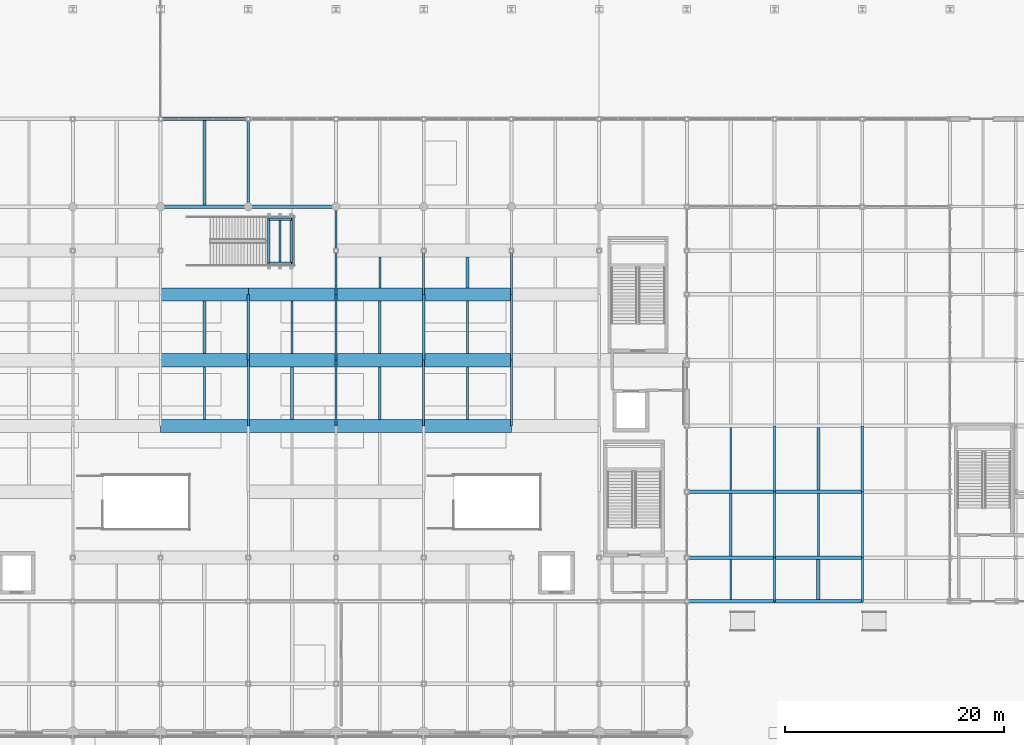
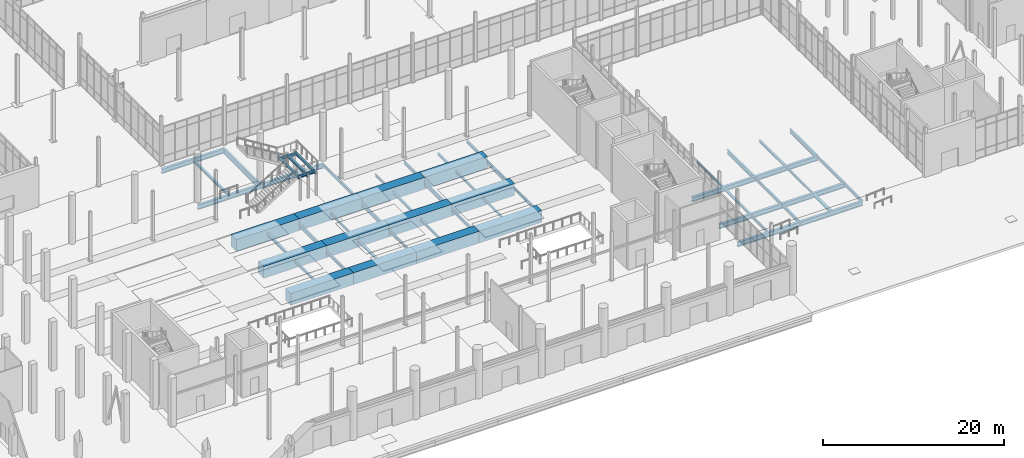
# One storey, part 35 of 140: 62 beams.
"""IFC4 building model written with IfcOpenShell, lengths in metres."""

from ifc_helpers import new_model, si_unit, direction, frame, origin, origin_2d, place, context, subcontext, project, spatial, rectangle, i_section, extrude, material, material_profile, profile_set, type_object, element, save


model = new_model("IFC4")

# Units and contexts
model_context = context("Model", 3, precision=1e-05, world=origin(), true_north=direction((0.0, 1.0)))
body_context = subcontext(model_context, "Body", "Model", "MODEL_VIEW")
ifc_project = project(units=[si_unit("LENGTHUNIT", "METRE"), si_unit("AREAUNIT", "SQUARE_METRE"), si_unit("VOLUMEUNIT", "CUBIC_METRE"), si_unit("PLANEANGLEUNIT", "RADIAN"), si_unit("MASSUNIT", "GRAM", prefix="KILO")], contexts=[model_context])

# Site, building, storey
site_placement = place(None, origin())
site = spatial("IfcSite", under=ifc_project, at=site_placement, CompositionType="ELEMENT")
building_placement = place(site_placement, origin())
building = spatial("IfcBuilding", under=site, at=building_placement, Name="Verrall Gate Interchange", CompositionType="ELEMENT")
storey_placement = place(building_placement, origin())
storey = spatial("IfcBuildingStorey", under=building, at=storey_placement, Name="L01", CompositionType="ELEMENT", Elevation=0.0)

# Beams
ifc_material_1 = material(Name="Structural Steel CSA G40.21 350WT Cat 4", Category="steel")
ifc_material_profile_1 = material_profile(ifc_material_1, i_section(OverallWidth=0.256103515625, OverallDepth=0.693115234375, WebThickness=0.01318359375, FlangeThickness=0.02001953125, FilletRadius=0.01611328125, at=origin_2d()), Name="W690x170")
ifc_profile_set_1 = profile_set([ifc_material_profile_1], Name="Structural Steel CSA G40.21 350WT Cat 4")
beam_type_1 = type_object("IfcBeamType", Name="B-07 Structural Beam W690x170", PredefinedType="BEAM", material=ifc_profile_set_1)
beam_1_placement = place(storey_placement, frame((68.0, 48.0, -0.846435546875), z_axis=(0.0, 1.0, 0.0), x_axis=(-1.0, 0.0, 0.0)))
element("IfcBeam", 1, at=beam_1_placement, inside=storey, type_object=beam_type_1, Name="L01 Girder BM-L01-1125 (B-07)", PredefinedType="BEAM", context=body_context, shape_type="SweptSolid", body=[
    extrude(i_section(OverallWidth=0.256103515625, OverallDepth=0.693115234375, WebThickness=0.01318359375, FlangeThickness=0.02001953125, FilletRadius=0.01611328125, at=origin_2d()), origin(), (0.0, 0.0, 1.0), 8.0),
])
ifc_material_2 = material(Name="Structural Steel CSA G40.21 350WT Cat 4", Category="steel")
ifc_material_profile_2 = material_profile(ifc_material_2, i_section(OverallWidth=0.323974609375, OverallDepth=0.611083984375, WebThickness=0.0126953125, FlangeThickness=0.01904296875, FilletRadius=0.014892578125, at=origin_2d()), Name="W610x155")
ifc_profile_set_2 = profile_set([ifc_material_profile_2], Name="Structural Steel CSA G40.21 350WT Cat 4")
beam_type_2 = type_object("IfcBeamType", Name="B-08 Structural Beam W610x155", PredefinedType="BEAM", material=ifc_profile_set_2)
for number, where, z_axis, x_axis, name in (
    (2, (108.0, 12.0, -0.805419921875), (1.0, 0.0, 0.0), (0.0, 1.0, 0.0), "L01 Girder BM-L01-0779 (B-08)"),
    (3, (116.0, 12.0, -0.805419921875), (1.0, 0.0, 0.0), (0.0, 1.0, 0.0), "L01 Girder BM-L01-0780 (B-08)"),
    (4, (108.0, 16.0, -0.805419921875), (1.0, 0.0, 0.0), (0.0, 1.0, 0.0), "L01 Girder BM-L01-0799 (B-08)"),
    (5, (116.0, 16.0, -0.805419921875), (1.0, 0.0, 0.0), (0.0, 1.0, 0.0), "L01 Girder BM-L01-0800 (B-08)"),
    (6, (108.0, 22.0, -0.805419921875), (1.0, 0.0, 0.0), (0.0, 1.0, 0.0), "L01 Girder BM-L01-0817 (B-08)"),
    (7, (116.0, 22.0, -0.805419921875), (1.0, 0.0, 0.0), (0.0, 1.0, 0.0), "L01 Girder BM-L01-0818 (B-08)"),
    (8, (60.0, 48.0, -0.805419921875), (1.0, 0.0, 0.0), (0.0, 1.0, 0.0), "L01 Girder BM-L01-0920 (B-08)"),
    (9, (68.0, 48.0, -0.805419921875), (1.0, 0.0, 0.0), (0.0, 1.0, 0.0), "L01 Girder BM-L01-0921 (B-08)"),
    (10, (60.0, 56.0, -0.805419921875), (1.0, 0.0, 0.0), (0.0, 1.0, 0.0), "L01 Girder BM-L01-0942 (B-08)"),
):
    element("IfcBeam", number, at=place(storey_placement, frame(where, z_axis=z_axis, x_axis=x_axis)), inside=storey, type_object=beam_type_2, Name=name, PredefinedType="BEAM", context=body_context, shape_type="SweptSolid", body=[
        extrude(i_section(OverallWidth=0.323974609375, OverallDepth=0.611083984375, WebThickness=0.0126953125, FlangeThickness=0.01904296875, FilletRadius=0.014892578125, at=origin_2d()), origin(), (0.0, 0.0, 1.0), 8.0),
    ])
ifc_material_3 = material(Name="Structural Steel CSA G40.21 350W", Category="steel")
ifc_material_profile_3 = material_profile(ifc_material_3, i_section(OverallWidth=0.2109375, OverallDepth=0.5390625, WebThickness=0.01171875, FlangeThickness=0.018798828125, FilletRadius=0.013916015625, at=origin_2d()), Name="W530x109")
ifc_profile_set_3 = profile_set([ifc_material_profile_3], Name="Structural Steel CSA G40.21 350W")
beam_type_3 = type_object("IfcBeamType", Name="B-10 Structural Beam W530x109", PredefinedType="BEAM", material=ifc_profile_set_3)
for number, where, z_axis, x_axis, name in (
    (11, (68.0, 34.0, -0.76953125), (0.0, 1.0, 0.0), (-1.0, 0.0, 0.0), "L01 Girder BM-L01-1124 (B-10)"),
    (12, (76.0, 34.0, -0.76953125), (0.0, 1.0, 0.0), (-1.0, 0.0, 0.0), "L01 Girder BM-L01-1133 (B-10)"),
    (13, (84.0, 34.0, -0.76953125), (0.0, 1.0, 0.0), (-1.0, 0.0, 0.0), "L01 Girder BM-L01-1144 (B-10)"),
    (14, (92.0, 34.0, -0.76953125), (0.0, 1.0, 0.0), (-1.0, 0.0, 0.0), "L01 Girder BM-L01-1153 (B-10)"),
    (15, (116.0, 22.0, -0.76953125), (0.0, 1.0, 0.0), (-1.0, 0.0, 0.0), "L01 Girder BM-L01-1181 (B-10)"),
    (16, (124.0, 22.0, -0.76953125), (0.0, 1.0, 0.0), (-1.0, 0.0, 0.0), "L01 Girder BM-L01-1189 (B-10)"),
):
    element("IfcBeam", number, at=place(storey_placement, frame(where, z_axis=z_axis, x_axis=x_axis)), inside=storey, type_object=beam_type_3, Name=name, PredefinedType="BEAM", context=body_context, shape_type="SweptSolid", body=[
        extrude(i_section(OverallWidth=0.2109375, OverallDepth=0.5390625, WebThickness=0.01171875, FlangeThickness=0.018798828125, FilletRadius=0.013916015625, at=origin_2d()), origin(), (0.0, 0.0, 1.0), 6.0),
    ])
ifc_material_4 = material(Name="Structural Steel CSA G40.21 350W", Category="steel")
ifc_material_profile_4 = material_profile(ifc_material_4, i_section(OverallWidth=0.178955078125, OverallDepth=0.409912109375, WebThickness=0.0087890625, FlangeThickness=0.014404296875, FilletRadius=0.011962890625, at=origin_2d()), Name="W410x67")
ifc_profile_set_4 = profile_set([ifc_material_profile_4], Name="Structural Steel CSA G40.21 350W")
beam_type_4 = type_object("IfcBeamType", Name="B-12 Structural Beam W410x67", PredefinedType="BEAM", material=ifc_profile_set_4)
for number, where, z_axis, x_axis, name in (
    (17, (68.0, 28.0, -0.705078125), (0.0, 1.0, 0.0), (-1.0, 0.0, 0.0), "L01 Girder BM-L01-1123 (B-12)"),
    (18, (76.0, 28.0, -0.705078125), (0.0, 1.0, 0.0), (-1.0, 0.0, 0.0), "L01 Girder BM-L01-1132 (B-12)"),
):
    element("IfcBeam", number, at=place(storey_placement, frame(where, z_axis=z_axis, x_axis=x_axis)), inside=storey, type_object=beam_type_4, Name=name, PredefinedType="BEAM", context=body_context, shape_type="SweptSolid", body=[
        extrude(i_section(OverallWidth=0.178955078125, OverallDepth=0.409912109375, WebThickness=0.0087890625, FlangeThickness=0.014404296875, FilletRadius=0.011962890625, at=origin_2d()), origin(), (0.0, 0.0, 1.0), 6.0),
    ])
for number, where, z_axis, x_axis, name in (
    (19, (76.0, 40.0, -0.705078125), (0.0, 1.0, 0.0), (-1.0, 0.0, 0.0), "L01 Girder BM-L01-1134 (B-12)"),
    (20, (76.0, 44.0, -0.705078125), (0.0, 1.0, 0.0), (-1.0, 0.0, 0.0), "L01 Girder BM-L01-1135 (B-12)"),
):
    element("IfcBeam", number, at=place(storey_placement, frame(where, z_axis=z_axis, x_axis=x_axis)), inside=storey, type_object=beam_type_4, Name=name, PredefinedType="BEAM", context=body_context, shape_type="SweptSolid", body=[
        extrude(i_section(OverallWidth=0.178955078125, OverallDepth=0.409912109375, WebThickness=0.0087890625, FlangeThickness=0.014404296875, FilletRadius=0.011962890625, at=origin_2d()), origin(), (0.0, 0.0, 1.0), 4.0),
    ])
beam_2_placement = place(storey_placement, frame((84.0, 28.0, -0.705078125), z_axis=(0.0, 1.0, 0.0), x_axis=(-1.0, 0.0, 0.0)))
element("IfcBeam", 21, at=beam_2_placement, inside=storey, type_object=beam_type_4, Name="L01 Girder BM-L01-1143 (B-12)", PredefinedType="BEAM", context=body_context, shape_type="SweptSolid", body=[
    extrude(i_section(OverallWidth=0.178955078125, OverallDepth=0.409912109375, WebThickness=0.0087890625, FlangeThickness=0.014404296875, FilletRadius=0.011962890625, at=origin_2d()), origin(), (0.0, 0.0, 1.0), 6.0),
])
beam_3_placement = place(storey_placement, frame((84.0, 40.0, -0.705078125), z_axis=(0.0, 1.0, 0.0), x_axis=(-1.0, 0.0, 0.0)))
element("IfcBeam", 22, at=beam_3_placement, inside=storey, type_object=beam_type_4, Name="L01 Girder BM-L01-1145 (B-12)", PredefinedType="BEAM", context=body_context, shape_type="SweptSolid", body=[
    extrude(i_section(OverallWidth=0.178955078125, OverallDepth=0.409912109375, WebThickness=0.0087890625, FlangeThickness=0.014404296875, FilletRadius=0.011962890625, at=origin_2d()), origin(), (0.0, 0.0, 1.0), 4.0),
])
beam_4_placement = place(storey_placement, frame((92.0, 28.0, -0.705078125), z_axis=(0.0, 1.0, 0.0), x_axis=(-1.0, 0.0, 0.0)))
element("IfcBeam", 23, at=beam_4_placement, inside=storey, type_object=beam_type_4, Name="L01 Girder BM-L01-1152 (B-12)", PredefinedType="BEAM", context=body_context, shape_type="SweptSolid", body=[
    extrude(i_section(OverallWidth=0.178955078125, OverallDepth=0.409912109375, WebThickness=0.0087890625, FlangeThickness=0.014404296875, FilletRadius=0.011962890625, at=origin_2d()), origin(), (0.0, 0.0, 1.0), 6.0),
])
for number, where, z_axis, x_axis, name in (
    (24, (92.0, 40.0, -0.705078125), (0.0, 1.0, 0.0), (-1.0, 0.0, 0.0), "L01 Girder BM-L01-1154 (B-12)"),
    (25, (116.0, 12.0, -0.705078125), (0.0, 1.0, 0.0), (-1.0, 0.0, 0.0), "L01 Girder BM-L01-1179 (B-12)"),
):
    element("IfcBeam", number, at=place(storey_placement, frame(where, z_axis=z_axis, x_axis=x_axis)), inside=storey, type_object=beam_type_4, Name=name, PredefinedType="BEAM", context=body_context, shape_type="SweptSolid", body=[
        extrude(i_section(OverallWidth=0.178955078125, OverallDepth=0.409912109375, WebThickness=0.0087890625, FlangeThickness=0.014404296875, FilletRadius=0.011962890625, at=origin_2d()), origin(), (0.0, 0.0, 1.0), 4.0),
    ])
beam_5_placement = place(storey_placement, frame((116.0, 16.0, -0.705078125), z_axis=(0.0, 1.0, 0.0), x_axis=(-1.0, 0.0, 0.0)))
element("IfcBeam", 26, at=beam_5_placement, inside=storey, type_object=beam_type_4, Name="L01 Girder BM-L01-1180 (B-12)", PredefinedType="BEAM", context=body_context, shape_type="SweptSolid", body=[
    extrude(i_section(OverallWidth=0.178955078125, OverallDepth=0.409912109375, WebThickness=0.0087890625, FlangeThickness=0.014404296875, FilletRadius=0.011962890625, at=origin_2d()), origin(), (0.0, 0.0, 1.0), 6.0),
])
beam_6_placement = place(storey_placement, frame((124.0, 12.0, -0.705078125), z_axis=(0.0, 1.0, 0.0), x_axis=(-1.0, 0.0, 0.0)))
element("IfcBeam", 27, at=beam_6_placement, inside=storey, type_object=beam_type_4, Name="L01 Girder BM-L01-1187 (B-12)", PredefinedType="BEAM", context=body_context, shape_type="SweptSolid", body=[
    extrude(i_section(OverallWidth=0.178955078125, OverallDepth=0.409912109375, WebThickness=0.0087890625, FlangeThickness=0.014404296875, FilletRadius=0.011962890625, at=origin_2d()), origin(), (0.0, 0.0, 1.0), 4.0),
])
beam_7_placement = place(storey_placement, frame((124.0, 16.0, -0.705078125), z_axis=(0.0, 1.0, 0.0), x_axis=(-1.0, 0.0, 0.0)))
element("IfcBeam", 28, at=beam_7_placement, inside=storey, type_object=beam_type_4, Name="L01 Girder BM-L01-1188 (B-12)", PredefinedType="BEAM", context=body_context, shape_type="SweptSolid", body=[
    extrude(i_section(OverallWidth=0.178955078125, OverallDepth=0.409912109375, WebThickness=0.0087890625, FlangeThickness=0.014404296875, FilletRadius=0.011962890625, at=origin_2d()), origin(), (0.0, 0.0, 1.0), 6.0),
])
ifc_material_5 = material(Name="Structural Steel CSA G40.21 350W", Category="steel")
ifc_material_profile_5 = material_profile(ifc_material_5, i_section(OverallWidth=0.205078125, OverallDepth=0.35400390625, WebThickness=0.009521484375, FlangeThickness=0.016845703125, FilletRadius=0.012939453125, at=origin_2d()), Name="W360x79")
ifc_profile_set_5 = profile_set([ifc_material_profile_5], Name="Structural Steel CSA G40.21 350W")
beam_type_5 = type_object("IfcBeamType", Name="B-14 Structural Beam W360x79", PredefinedType="BEAM", material=ifc_profile_set_5)
for number, where, z_axis, x_axis, name in (
    (29, (69.8701171875, 42.43994140625, 2.929931640625), (0.0, 1.0, 0.0), (-1.0, 0.0, 0.0), "L01 ST-12 Mid-Landing Beam"),
    (30, (70.89501953125, 42.43994140625, 2.929931640625), (0.0, 1.0, 0.0), (-1.0, 0.0, 0.0), "L01 ST-12 Mid-Landing Beam"),
    (31, (71.919921875, 42.43994140625, 2.929931640625), (0.0, 1.0, 0.0), (-1.0, 0.0, 0.0), "L01 ST-12 Mid-Landing Beam"),
):
    element("IfcBeam", number, at=place(storey_placement, frame(where, z_axis=z_axis, x_axis=x_axis)), inside=storey, type_object=beam_type_5, Name=name, PredefinedType="BEAM", context=body_context, shape_type="SweptSolid", body=[
        extrude(i_section(OverallWidth=0.205078125, OverallDepth=0.35400390625, WebThickness=0.009521484375, FlangeThickness=0.016845703125, FilletRadius=0.012939453125, at=origin_2d()), origin(), (0.0, 0.0, 1.0), 4.820068359375),
    ])
for number, where, z_axis, x_axis, name in (
    (32, (69.8701171875, 42.85009765625, 2.929931640625), (1.0, 0.0, 0.0), (0.0, 1.0, 0.0), "L01 ST-12 Mid-Landing Edge Beam 1"),
    (33, (69.8701171875, 46.85009765625, 2.929931640625), (1.0, 0.0, 0.0), (0.0, 1.0, 0.0), "L01 ST-12 Mid-Landing Edge Beam 2"),
):
    element("IfcBeam", number, at=place(storey_placement, frame(where, z_axis=z_axis, x_axis=x_axis)), inside=storey, type_object=beam_type_5, Name=name, PredefinedType="BEAM", context=body_context, shape_type="SweptSolid", body=[
        extrude(i_section(OverallWidth=0.205078125, OverallDepth=0.35400390625, WebThickness=0.009521484375, FlangeThickness=0.016845703125, FilletRadius=0.012939453125, at=origin_2d()), origin(), (0.0, 0.0, 1.0), 2.0498046875),
    ])
ifc_material_6 = material(Name="Structural Steel CSA G40.21 350W", Category="steel")
ifc_material_profile_6 = material_profile(ifc_material_6, i_section(OverallWidth=0.172119140625, OverallDepth=0.35791015625, WebThickness=0.0078125, FlangeThickness=0.01318359375, FilletRadius=0.010986328125, at=origin_2d()), Name="W360x57")
ifc_profile_set_6 = profile_set([ifc_material_profile_6], Name="Structural Steel CSA G40.21 350W")
beam_type_6 = type_object("IfcBeamType", Name="J-01 Floor Joist W360x57", PredefinedType="JOIST", material=ifc_profile_set_6)
beam_8_placement = place(storey_placement, frame((112.0, 12.162109375, -0.678955078125), z_axis=(0.0, 1.0, 0.0), x_axis=(-1.0, 0.0, 0.0)))
element("IfcBeam", 34, at=beam_8_placement, inside=storey, type_object=beam_type_6, Name="L01 Secondary Floor Joist JST-L01-1290", PredefinedType="JOIST", context=body_context, shape_type="SweptSolid", body=[
    extrude(i_section(OverallWidth=0.172119140625, OverallDepth=0.35791015625, WebThickness=0.0078125, FlangeThickness=0.01318359375, FilletRadius=0.010986328125, at=origin_2d()), origin(), (0.0, 0.0, 1.0), 3.67578125),
])
ifc_material_7 = material(Name="Structural Steel CSA G40.21 350W", Category="steel")
ifc_material_profile_7 = material_profile(ifc_material_7, i_section(OverallWidth=0.306884765625, OverallDepth=0.31396484375, WebThickness=0.011962890625, FlangeThickness=0.018798828125, FilletRadius=0.013916015625, at=origin_2d()), Name="W310x118")
ifc_profile_set_7 = profile_set([ifc_material_profile_7], Name="Structural Steel CSA G40.21 350W")
beam_type_7 = type_object("IfcBeamType", Name="J-02 Floor Joist W310x118", PredefinedType="JOIST", material=ifc_profile_set_7)
beam_9_placement = place(storey_placement, frame((120.0, 12.162109375, -0.656982421875), z_axis=(0.0, 1.0, 0.0), x_axis=(-1.0, 0.0, 0.0)))
element("IfcBeam", 35, at=beam_9_placement, inside=storey, type_object=beam_type_7, Name="L01 Secondary Floor Joist JST-L01-1291", PredefinedType="JOIST", context=body_context, shape_type="SweptSolid", body=[
    extrude(i_section(OverallWidth=0.306884765625, OverallDepth=0.31396484375, WebThickness=0.011962890625, FlangeThickness=0.018798828125, FilletRadius=0.013916015625, at=origin_2d()), origin(), (0.0, 0.0, 1.0), 3.67578125),
])
ifc_material_8 = material(Name="Structural Steel CSA G40.21 350W", Category="steel")
ifc_material_profile_8 = material_profile(ifc_material_8, i_section(OverallWidth=0.25390625, OverallDepth=0.305908203125, WebThickness=0.0087890625, FlangeThickness=0.0146484375, FilletRadius=0.012939453125, at=origin_2d()), Name="W310x79")
ifc_profile_set_8 = profile_set([ifc_material_profile_8], Name="Structural Steel CSA G40.21 350W")
beam_type_8 = type_object("IfcBeamType", Name="J-03 Floor Joist W310x79", PredefinedType="JOIST", material=ifc_profile_set_8)
beam_10_placement = place(storey_placement, frame((64.0, 34.60009765625, -0.653076171875), z_axis=(0.0, 1.0, 0.0), x_axis=(-1.0, 0.0, 0.0)))
element("IfcBeam", 36, at=beam_10_placement, inside=storey, type_object=beam_type_8, Name="L01 Secondary Floor Joist JST-L01-1350", PredefinedType="JOIST", context=body_context, shape_type="SweptSolid", body=[
    extrude(i_section(OverallWidth=0.25390625, OverallDepth=0.305908203125, WebThickness=0.0087890625, FlangeThickness=0.0146484375, FilletRadius=0.012939453125, at=origin_2d()), origin(), (0.0, 0.0, 1.0), 4.7998046875),
])
beam_11_placement = place(storey_placement, frame((64.0, 48.162109375, -0.653076171875), z_axis=(0.0, 1.0, 0.0), x_axis=(-1.0, 0.0, 0.0)))
element("IfcBeam", 37, at=beam_11_placement, inside=storey, type_object=beam_type_8, Name="L01 Secondary Floor Joist JST-L01-1406", PredefinedType="JOIST", context=body_context, shape_type="SweptSolid", body=[
    extrude(i_section(OverallWidth=0.25390625, OverallDepth=0.305908203125, WebThickness=0.0087890625, FlangeThickness=0.0146484375, FilletRadius=0.012939453125, at=origin_2d()), origin(), (0.0, 0.0, 1.0), 7.67578125),
])
ifc_material_9 = material(Name="Structural Steel CSA G40.21 350W", Category="steel")
ifc_material_profile_9 = material_profile(ifc_material_9, i_section(OverallWidth=0.1650390625, OverallDepth=0.31005859375, WebThickness=0.005859375, FlangeThickness=0.009765625, FilletRadius=0.010009765625, at=origin_2d()), Name="W310x39")
ifc_profile_set_9 = profile_set([ifc_material_profile_9], Name="Structural Steel CSA G40.21 350W")
beam_type_9 = type_object("IfcBeamType", Name="J-04 Floor Joist W310x39", PredefinedType="JOIST", material=ifc_profile_set_9)
beam_12_placement = place(storey_placement, frame((112.0, 22.162109375, -0.655029296875), z_axis=(0.0, 1.0, 0.0), x_axis=(-1.0, 0.0, 0.0)))
element("IfcBeam", 38, at=beam_12_placement, inside=storey, type_object=beam_type_9, Name="L01 Secondary Floor Joist JST-L01-1318", PredefinedType="JOIST", context=body_context, shape_type="SweptSolid", body=[
    extrude(i_section(OverallWidth=0.1650390625, OverallDepth=0.31005859375, WebThickness=0.005859375, FlangeThickness=0.009765625, FilletRadius=0.010009765625, at=origin_2d()), origin(), (0.0, 0.0, 1.0), 5.67578125),
])
for number, where, z_axis, x_axis, name in (
    (39, (64.0, 28.60009765625, -0.655029296875), (0.0, 1.0, 0.0), (-1.0, 0.0, 0.0), "L01 Secondary Floor Joist JST-L01-1333"),
    (40, (72.0, 34.60009765625, -0.655029296875), (0.0, 1.0, 0.0), (-1.0, 0.0, 0.0), "L01 Secondary Floor Joist JST-L01-1351"),
):
    element("IfcBeam", number, at=place(storey_placement, frame(where, z_axis=z_axis, x_axis=x_axis)), inside=storey, type_object=beam_type_9, Name=name, PredefinedType="JOIST", context=body_context, shape_type="SweptSolid", body=[
        extrude(i_section(OverallWidth=0.1650390625, OverallDepth=0.31005859375, WebThickness=0.005859375, FlangeThickness=0.009765625, FilletRadius=0.010009765625, at=origin_2d()), origin(), (0.0, 0.0, 1.0), 4.7998046875),
    ])
beam_13_placement = place(storey_placement, frame((80.0, 40.60009765625, -0.655029296875), z_axis=(0.0, 1.0, 0.0), x_axis=(-1.0, 0.0, 0.0)))
element("IfcBeam", 41, at=beam_13_placement, inside=storey, type_object=beam_type_9, Name="L01 Secondary Floor Joist JST-L01-1369", PredefinedType="JOIST", context=body_context, shape_type="SweptSolid", body=[
    extrude(i_section(OverallWidth=0.1650390625, OverallDepth=0.31005859375, WebThickness=0.005859375, FlangeThickness=0.009765625, FilletRadius=0.010009765625, at=origin_2d()), origin(), (0.0, 0.0, 1.0), 2.7998046875),
])
ifc_material_10 = material(Name="Structural Steel CSA G40.21 350W", Category="steel")
ifc_material_profile_10 = material_profile(ifc_material_10, i_section(OverallWidth=0.25390625, OverallDepth=0.2529296875, WebThickness=0.008544921875, FlangeThickness=0.01416015625, FilletRadius=0.011962890625, at=origin_2d()), Name="W250x73")
ifc_profile_set_10 = profile_set([ifc_material_profile_10], Name="Structural Steel CSA G40.21 350W")
beam_type_10 = type_object("IfcBeamType", Name="J-05 Floor Joist W250x73", PredefinedType="JOIST", material=ifc_profile_set_10)
for number, where, z_axis, x_axis, name in (
    (42, (112.0, 16.162109375, -0.62646484375), (0.0, 1.0, 0.0), (-1.0, 0.0, 0.0), "L01 Secondary Floor Joist JST-L01-1304"),
    (43, (120.0, 22.162109375, -0.62646484375), (0.0, 1.0, 0.0), (-1.0, 0.0, 0.0), "L01 Secondary Floor Joist JST-L01-1319"),
):
    element("IfcBeam", number, at=place(storey_placement, frame(where, z_axis=z_axis, x_axis=x_axis)), inside=storey, type_object=beam_type_10, Name=name, PredefinedType="JOIST", context=body_context, shape_type="SweptSolid", body=[
        extrude(i_section(OverallWidth=0.25390625, OverallDepth=0.2529296875, WebThickness=0.008544921875, FlangeThickness=0.01416015625, FilletRadius=0.011962890625, at=origin_2d()), origin(), (0.0, 0.0, 1.0), 5.67578125),
    ])
for number, where, z_axis, x_axis, name in (
    (44, (72.0, 28.60009765625, -0.62646484375), (0.0, 1.0, 0.0), (-1.0, 0.0, 0.0), "L01 Secondary Floor Joist JST-L01-1334"),
    (45, (80.0, 34.60009765625, -0.62646484375), (0.0, 1.0, 0.0), (-1.0, 0.0, 0.0), "L01 Secondary Floor Joist JST-L01-1352"),
):
    element("IfcBeam", number, at=place(storey_placement, frame(where, z_axis=z_axis, x_axis=x_axis)), inside=storey, type_object=beam_type_10, Name=name, PredefinedType="JOIST", context=body_context, shape_type="SweptSolid", body=[
        extrude(i_section(OverallWidth=0.25390625, OverallDepth=0.2529296875, WebThickness=0.008544921875, FlangeThickness=0.01416015625, FilletRadius=0.011962890625, at=origin_2d()), origin(), (0.0, 0.0, 1.0), 4.7998046875),
    ])
beam_14_placement = place(storey_placement, frame((88.0, 40.60009765625, -0.62646484375), z_axis=(0.0, 1.0, 0.0), x_axis=(-1.0, 0.0, 0.0)))
element("IfcBeam", 46, at=beam_14_placement, inside=storey, type_object=beam_type_10, Name="L01 Secondary Floor Joist JST-L01-1370", PredefinedType="JOIST", context=body_context, shape_type="SweptSolid", body=[
    extrude(i_section(OverallWidth=0.25390625, OverallDepth=0.2529296875, WebThickness=0.008544921875, FlangeThickness=0.01416015625, FilletRadius=0.011962890625, at=origin_2d()), origin(), (0.0, 0.0, 1.0), 2.7998046875),
])
ifc_material_11 = material(Name="Structural Steel CSA G40.21 350W", Category="steel")
ifc_material_profile_11 = material_profile(ifc_material_11, i_section(OverallWidth=0.201904296875, OverallDepth=0.2470703125, WebThickness=0.00732421875, FlangeThickness=0.010986328125, FilletRadius=0.010986328125, at=origin_2d()), Name="W250x49")
ifc_profile_set_11 = profile_set([ifc_material_profile_11], Name="Structural Steel CSA G40.21 350W")
beam_type_11 = type_object("IfcBeamType", Name="J-06 Floor Joist W250x49", PredefinedType="JOIST", material=ifc_profile_set_11)
beam_15_placement = place(storey_placement, frame((120.0, 16.162109375, -0.62353515625), z_axis=(0.0, 1.0, 0.0), x_axis=(-1.0, 0.0, 0.0)))
element("IfcBeam", 47, at=beam_15_placement, inside=storey, type_object=beam_type_11, Name="L01 Secondary Floor Joist JST-L01-1305", PredefinedType="JOIST", context=body_context, shape_type="SweptSolid", body=[
    extrude(i_section(OverallWidth=0.201904296875, OverallDepth=0.2470703125, WebThickness=0.00732421875, FlangeThickness=0.010986328125, FilletRadius=0.010986328125, at=origin_2d()), origin(), (0.0, 0.0, 1.0), 5.67578125),
])
for number, where, z_axis, x_axis, name in (
    (48, (80.0, 28.60009765625, -0.62353515625), (0.0, 1.0, 0.0), (-1.0, 0.0, 0.0), "L01 Secondary Floor Joist JST-L01-1335"),
    (49, (88.0, 34.60009765625, -0.62353515625), (0.0, 1.0, 0.0), (-1.0, 0.0, 0.0), "L01 Secondary Floor Joist JST-L01-1353"),
):
    element("IfcBeam", number, at=place(storey_placement, frame(where, z_axis=z_axis, x_axis=x_axis)), inside=storey, type_object=beam_type_11, Name=name, PredefinedType="JOIST", context=body_context, shape_type="SweptSolid", body=[
        extrude(i_section(OverallWidth=0.201904296875, OverallDepth=0.2470703125, WebThickness=0.00732421875, FlangeThickness=0.010986328125, FilletRadius=0.010986328125, at=origin_2d()), origin(), (0.0, 0.0, 1.0), 4.7998046875),
    ])
ifc_material_12 = material(Name="Structural Steel CSA G40.21 350W", Category="steel")
ifc_material_profile_12 = material_profile(ifc_material_12, i_section(OverallWidth=0.202880859375, OverallDepth=0.202880859375, WebThickness=0.007080078125, FlangeThickness=0.010986328125, FilletRadius=0.010009765625, at=origin_2d()), Name="W200x46")
ifc_profile_set_12 = profile_set([ifc_material_profile_12], Name="Structural Steel CSA G40.21 350W")
beam_type_12 = type_object("IfcBeamType", Name="J-07 Floor Joist W200x46", PredefinedType="JOIST", material=ifc_profile_set_12)
beam_16_placement = place(storey_placement, frame((88.0, 28.60009765625, -0.6015625), z_axis=(0.0, 1.0, 0.0), x_axis=(-1.0, 0.0, 0.0)))
element("IfcBeam", 50, at=beam_16_placement, inside=storey, type_object=beam_type_12, Name="L01 Secondary Floor Joist JST-L01-1336", PredefinedType="JOIST", context=body_context, shape_type="SweptSolid", body=[
    extrude(i_section(OverallWidth=0.202880859375, OverallDepth=0.202880859375, WebThickness=0.007080078125, FlangeThickness=0.010986328125, FilletRadius=0.010009765625, at=origin_2d()), origin(), (0.0, 0.0, 1.0), 4.7998046875),
])
ifc_material_13 = material(Name="Concrete CSA A23.1 40 MPa (Class N)", Category="concrete")
ifc_material_profile_13 = material_profile(ifc_material_13, rectangle(XDim=1.199951171875, YDim=1.60009765625, at=origin_2d()), Name="RC1200x1600")
ifc_profile_set_13 = profile_set([ifc_material_profile_13], Name="Concrete CSA A23.1 40 MPa (Class N)")
beam_type_13 = type_object("IfcBeamType", Name="TG-01 Transfer Girder RC1200x1600", PredefinedType="USERDEFINED", material=ifc_profile_set_13)
for number, where, z_axis, x_axis, name in (
    (51, (60.0, 28.0, -0.800048828125), (1.0, 0.0, 0.0), (0.0, 1.0, 0.0), "L01 Girder BM-L01-0834 (TG-01)"),
    (52, (68.0, 28.0, -0.800048828125), (1.0, 0.0, 0.0), (0.0, 1.0, 0.0), "L01 Girder BM-L01-0835 (TG-01)"),
    (53, (76.0, 28.0, -0.800048828125), (1.0, 0.0, 0.0), (0.0, 1.0, 0.0), "L01 Girder BM-L01-0836 (TG-01)"),
    (54, (84.0, 28.0, -0.800048828125), (1.0, 0.0, 0.0), (0.0, 1.0, 0.0), "L01 Girder BM-L01-0837 (TG-01)"),
    (55, (60.0, 34.0, -0.800048828125), (1.0, 0.0, 0.0), (0.0, 1.0, 0.0), "L01 Girder BM-L01-0854 (TG-01)"),
    (56, (68.0, 34.0, -0.800048828125), (1.0, 0.0, 0.0), (0.0, 1.0, 0.0), "L01 Girder BM-L01-0855 (TG-01)"),
    (57, (76.0, 34.0, -0.800048828125), (1.0, 0.0, 0.0), (0.0, 1.0, 0.0), "L01 Girder BM-L01-0856 (TG-01)"),
    (58, (84.0, 34.0, -0.800048828125), (1.0, 0.0, 0.0), (0.0, 1.0, 0.0), "L01 Girder BM-L01-0857 (TG-01)"),
    (59, (60.0, 40.0, -0.800048828125), (1.0, 0.0, 0.0), (0.0, 1.0, 0.0), "L01 Girder BM-L01-0876 (TG-01)"),
    (60, (68.0, 40.0, -0.800048828125), (1.0, 0.0, 0.0), (0.0, 1.0, 0.0), "L01 Girder BM-L01-0877 (TG-01)"),
    (61, (76.0, 40.0, -0.800048828125), (1.0, 0.0, 0.0), (0.0, 1.0, 0.0), "L01 Girder BM-L01-0878 (TG-01)"),
    (62, (84.0, 40.0, -0.800048828125), (1.0, 0.0, 0.0), (0.0, 1.0, 0.0), "L01 Girder BM-L01-0879 (TG-01)"),
):
    element("IfcBeam", number, at=place(storey_placement, frame(where, z_axis=z_axis, x_axis=x_axis)), inside=storey, type_object=beam_type_13, Name=name, ObjectType="TRANSFER_GIRDER", PredefinedType="USERDEFINED", context=body_context, shape_type="SweptSolid", body=[
        extrude(rectangle(XDim=1.199951171875, YDim=1.60009765625, at=origin_2d()), origin(), (0.0, 0.0, 1.0), 8.0),
    ])

save(model, "model.ifc")
